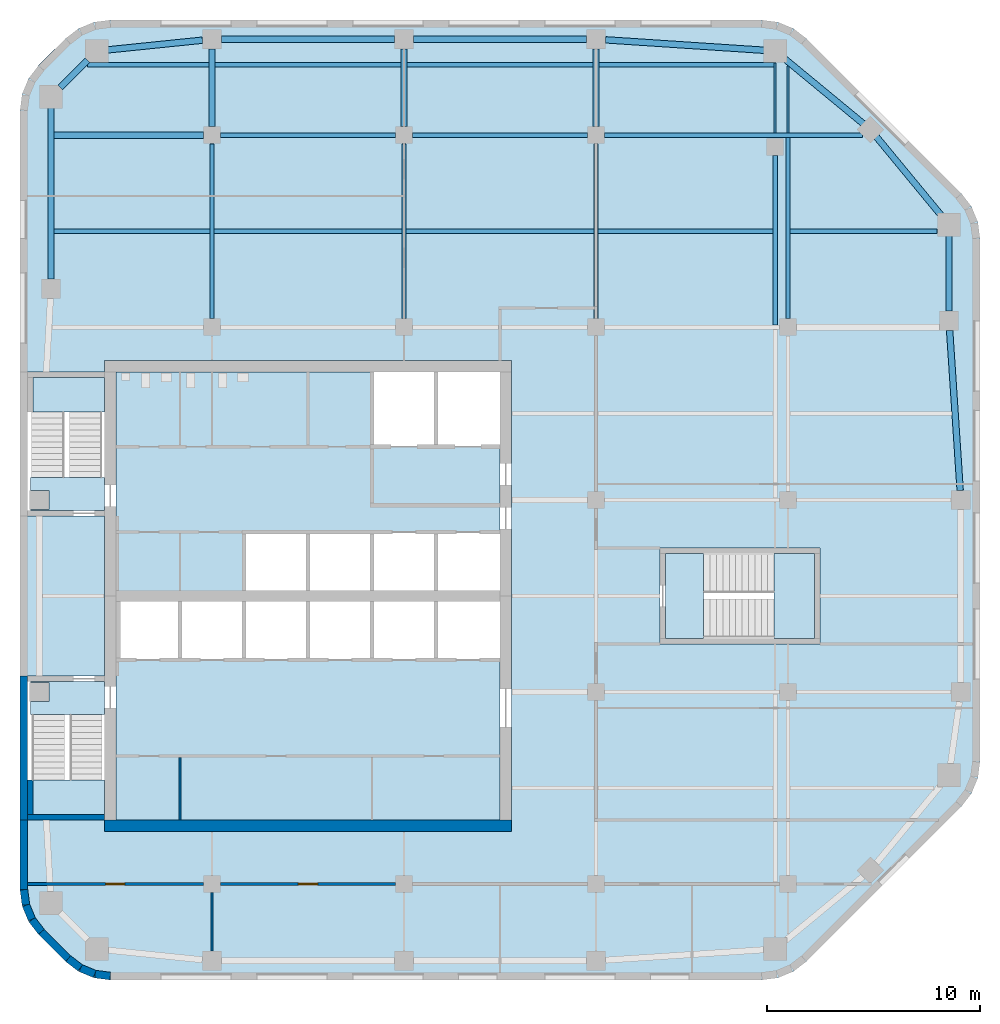
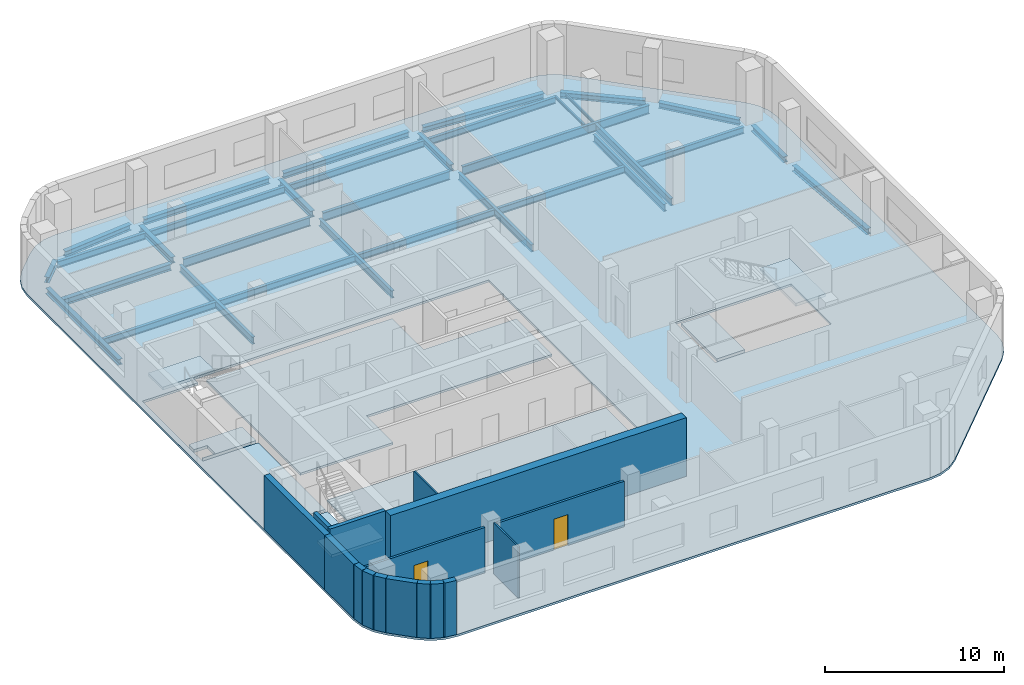
# One storey, part 2 of 8: 33 beams, 16 walls, 9 slabs, 2 doors, 2 openings, 3 elements without a shape of their own.
"""IFC4 building model written with IfcOpenShell, lengths in metres."""

from ifc_helpers import new_model, si_unit, direction, frame, frame_2d, origin, origin_2d, place, context, subcontext, project, spatial, polyline, rectangle, i_section, outline, extrude, material, layer, layer_set, material_profile, profile_set, type_object, element, fill, aggregate, save


model = new_model("IFC4")

# Units and contexts
model_context = context("Model", 3, precision=1e-05, world=origin(), true_north=direction((0.0, 1.0)))
body_context = subcontext(model_context, "Body", "Model", "MODEL_VIEW")
ifc_project = project(units=[si_unit("LENGTHUNIT", "METRE"), si_unit("AREAUNIT", "SQUARE_METRE"), si_unit("VOLUMEUNIT", "CUBIC_METRE"), si_unit("PLANEANGLEUNIT", "RADIAN"), si_unit("MASSUNIT", "GRAM", prefix="KILO")], contexts=[model_context])

# Site, building, storey
site_placement = place(None, origin())
site = spatial("IfcSite", under=ifc_project, at=site_placement, CompositionType="ELEMENT")
building_placement = place(site_placement, origin())
building = spatial("IfcBuilding", under=site, at=building_placement, Name="Cinnabar Reach Civic Tower", CompositionType="ELEMENT")
storey_placement = place(building_placement, frame((0.0, 0.0, 238.0)))
storey = spatial("IfcBuildingStorey", under=building, at=storey_placement, Name="L57", CompositionType="ELEMENT", Elevation=238.0)

# Beams
ifc_material_1 = material(Name="Steel Q355B", Category="steel")
ifc_material_profile_1 = material_profile(ifc_material_1, i_section(OverallWidth=0.3, OverallDepth=0.39, WebThickness=0.01, FlangeThickness=0.016, FilletRadius=0.013, at=origin_2d()), Name="HM390x300x10x16")
ifc_profile_set_1 = profile_set([ifc_material_profile_1], Name="Steel Q355B")
beam_type_1 = type_object("IfcBeamType", Name="HM390x300x10x16 beam R 180", PredefinedType="BEAM", material=ifc_profile_set_1)
beam_1_placement = place(storey_placement, frame((44.0702, 36.452, -0.345), z_axis=(-0.065709484267, 0.997838796438, 0.0), x_axis=(-0.997838796438, -0.065709484267, 0.0)))
element("IfcBeam", 1, at=beam_1_placement, inside=storey, type_object=beam_type_1, Name="Edge beam T1 L57 9", PredefinedType="BEAM", context=body_context, shape_type="SweptSolid", body=[
    extrude(i_section(OverallWidth=0.3, OverallDepth=0.39, WebThickness=0.01, FlangeThickness=0.016, FilletRadius=0.013, at=origin_2d()), origin(), (0.0, 0.0, 1.0), 7.5103),
])
beam_2_placement = place(storey_placement, frame((43.5469, 44.8501, -0.345), z_axis=(0.0, 1.0, 0.0), x_axis=(-1.0, 0.0, 0.0)))
element("IfcBeam", 2, at=beam_2_placement, inside=storey, type_object=beam_type_1, Name="Edge beam T1 L57 10", PredefinedType="BEAM", context=body_context, shape_type="SweptSolid", body=[
    extrude(i_section(OverallWidth=0.3, OverallDepth=0.39, WebThickness=0.01, FlangeThickness=0.016, FilletRadius=0.013, at=origin_2d()), origin(), (0.0, 0.0, 1.0), 3.616),
])
for number, where, z_axis, x_axis, name in (
    (3, (43.1906, 49.3301, -0.345), (-0.63630880182, 0.771434448755, 0.0), (-0.771434448755, -0.63630880182, 0.0), "Edge beam T1 L57 11"),
    (4, (39.5598, 53.6142, -0.345), (-0.771434448755, 0.63630880182, 0.0), (-0.63630880182, -0.771434448755, 0.0), "Edge beam T1 L57 12"),
):
    element("IfcBeam", number, at=place(storey_placement, frame(where, z_axis=z_axis, x_axis=x_axis)), inside=storey, type_object=beam_type_1, Name=name, PredefinedType="BEAM", context=body_context, shape_type="SweptSolid", body=[
        extrude(i_section(OverallWidth=0.3, OverallDepth=0.39, WebThickness=0.01, FlangeThickness=0.016, FilletRadius=0.013, at=origin_2d()), origin(), (0.0, 0.0, 1.0), 4.8348),
    ])
beam_3_placement = place(storey_placement, frame((34.9661, 57.0754, -0.345), z_axis=(-0.99783894477, 0.065707231721, 0.0), x_axis=(-0.065707231721, -0.99783894477, 0.0)))
element("IfcBeam", 5, at=beam_3_placement, inside=storey, type_object=beam_type_1, Name="Edge beam T1 L57 13", PredefinedType="BEAM", context=body_context, shape_type="SweptSolid", body=[
    extrude(i_section(OverallWidth=0.3, OverallDepth=0.39, WebThickness=0.01, FlangeThickness=0.016, FilletRadius=0.013, at=origin_2d()), origin(), (0.0, 0.0, 1.0), 7.5304),
])
for number, where, z_axis, x_axis, name in (
    (6, (26.548, 57.6, -0.345), (-1.0, 0.0, 0.0), (0.0, -1.0, 0.0), "Edge beam T1 L57 14"),
    (7, (17.548, 57.6, -0.345), (-1.0, 0.0, 0.0), (0.0, -1.0, 0.0), "Edge beam T1 L57 15"),
):
    element("IfcBeam", number, at=place(storey_placement, frame(where, z_axis=z_axis, x_axis=x_axis)), inside=storey, type_object=beam_type_1, Name=name, PredefinedType="BEAM", context=body_context, shape_type="SweptSolid", body=[
        extrude(i_section(OverallWidth=0.3, OverallDepth=0.39, WebThickness=0.01, FlangeThickness=0.016, FilletRadius=0.013, at=origin_2d()), origin(), (0.0, 0.0, 1.0), 8.096),
    ])
beam_4_placement = place(storey_placement, frame((8.548, 57.5537, -0.345), z_axis=(-0.994792272495, -0.101923179821, 0.0), x_axis=(0.101923179821, -0.994792272495, 0.0)))
element("IfcBeam", 8, at=beam_4_placement, inside=storey, type_object=beam_type_1, Name="Edge beam T1 L57 16", PredefinedType="BEAM", context=body_context, shape_type="SweptSolid", body=[
    extrude(i_section(OverallWidth=0.3, OverallDepth=0.39, WebThickness=0.01, FlangeThickness=0.016, FilletRadius=0.013, at=origin_2d()), origin(), (0.0, 0.0, 1.0), 4.5377),
])
beam_5_placement = place(storey_placement, frame((3.1699, 56.6149, -0.345), z_axis=(-0.707106781187, -0.707106781187, 0.0), x_axis=(0.707106781187, -0.707106781187, 0.0)))
element("IfcBeam", 9, at=beam_5_placement, inside=storey, type_object=beam_type_1, Name="Edge beam T1 L57 17", PredefinedType="BEAM", context=body_context, shape_type="SweptSolid", body=[
    extrude(i_section(OverallWidth=0.3, OverallDepth=0.39, WebThickness=0.01, FlangeThickness=0.016, FilletRadius=0.013, at=origin_2d()), origin(), (0.0, 0.0, 1.0), 1.817),
])
beam_6_placement = place(storey_placement, frame((1.4531, 54.4661, -0.345), z_axis=(0.0, -1.0, 0.0), x_axis=(1.0, 0.0, 0.0)))
element("IfcBeam", 10, at=beam_6_placement, inside=storey, type_object=beam_type_1, Name="Edge beam T1 L57 18", PredefinedType="BEAM", context=body_context, shape_type="SweptSolid", body=[
    extrude(i_section(OverallWidth=0.3, OverallDepth=0.39, WebThickness=0.01, FlangeThickness=0.016, FilletRadius=0.013, at=origin_2d()), origin(), (0.0, 0.0, 1.0), 8.116),
])
ifc_material_profile_2 = material_profile(ifc_material_1, i_section(OverallWidth=0.3, OverallDepth=0.44, WebThickness=0.011, FlangeThickness=0.018, FilletRadius=0.016, at=origin_2d()), Name="HM440x300x11x18")
ifc_profile_set_2 = profile_set([ifc_material_profile_2], Name="Steel Q355B")
beam_type_2 = type_object("IfcBeamType", Name="HM440x300x11x18 beam R 180", PredefinedType="BEAM", material=ifc_profile_set_2)
beam_7_placement = place(storey_placement, frame((1.6051, 53.1, -0.37), z_axis=(1.0, 0.0, 0.0), x_axis=(0.0, 1.0, 0.0)))
element("IfcBeam", 11, at=beam_7_placement, inside=storey, type_object=beam_type_2, Name="Girder T1 L57 17", PredefinedType="BEAM", context=body_context, shape_type="SweptSolid", body=[
    extrude(i_section(OverallWidth=0.3, OverallDepth=0.44, WebThickness=0.011, FlangeThickness=0.018, FilletRadius=0.016, at=origin_2d()), origin(), (0.0, 0.0, 1.0), 6.9929),
])
for number, where, z_axis, x_axis, name in (
    (12, (9.0, 53.502, -0.37), (0.0, 1.0, 0.0), (-1.0, 0.0, 0.0), "Girder T1 L57 5"),
    (13, (18.0, 53.502, -0.37), (0.0, 1.0, 0.0), (-1.0, 0.0, 0.0), "Girder T1 L57 10"),
    (14, (27.0, 53.502, -0.37), (0.0, 1.0, 0.0), (-1.0, 0.0, 0.0), "Girder T1 L57 16"),
):
    element("IfcBeam", number, at=place(storey_placement, frame(where, z_axis=z_axis, x_axis=x_axis)), inside=storey, type_object=beam_type_2, Name=name, PredefinedType="BEAM", context=body_context, shape_type="SweptSolid", body=[
        extrude(i_section(OverallWidth=0.3, OverallDepth=0.44, WebThickness=0.011, FlangeThickness=0.018, FilletRadius=0.016, at=origin_2d()), origin(), (0.0, 0.0, 1.0), 3.646),
    ])
ifc_material_profile_3 = material_profile(ifc_material_1, i_section(OverallWidth=0.099, OverallDepth=0.198, WebThickness=0.0045, FlangeThickness=0.007, FilletRadius=0.013, at=origin_2d()), Name="HN200x100x5.5x8")
ifc_profile_set_3 = profile_set([ifc_material_profile_3], Name="Steel Q355B")
beam_type_3 = type_object("IfcBeamType", Name="HN200x100x5.5x8 beam R 180", PredefinedType="BEAM", material=ifc_profile_set_3)
beam_8_placement = place(storey_placement, frame((35.3981, 53.2015, -0.249), z_axis=(0.0, 1.0, 0.0), x_axis=(-1.0, 0.0, 0.0)))
element("IfcBeam", 15, at=beam_8_placement, inside=storey, type_object=beam_type_3, Name="Girder T1 L57 23", PredefinedType="BEAM", context=body_context, shape_type="SweptSolid", body=[
    extrude(i_section(OverallWidth=0.099, OverallDepth=0.198, WebThickness=0.0045, FlangeThickness=0.007, FilletRadius=0.013, at=origin_2d()), origin(), (0.0, 0.0, 1.0), 3.2934),
])
beam_9_placement = place(storey_placement, frame((36.0, 53.2015, -0.249), z_axis=(0.0, 1.0, 0.0), x_axis=(-1.0, 0.0, 0.0)))
element("IfcBeam", 16, at=beam_9_placement, inside=storey, type_object=beam_type_3, Name="Girder T1 L57 30", PredefinedType="BEAM", context=body_context, shape_type="SweptSolid", body=[
    extrude(i_section(OverallWidth=0.099, OverallDepth=0.198, WebThickness=0.0045, FlangeThickness=0.007, FilletRadius=0.013, at=origin_2d()), origin(), (0.0, 0.0, 1.0), 3.1519),
])
ifc_material_profile_4 = material_profile(ifc_material_1, i_section(OverallWidth=0.199, OverallDepth=0.446, WebThickness=0.008, FlangeThickness=0.012, FilletRadius=0.016, at=origin_2d()), Name="HN446x199x8x12")
ifc_profile_set_4 = profile_set([ifc_material_profile_4], Name="Steel Q355B")
beam_type_4 = type_object("IfcBeamType", Name="HN446x199x8x12 beam R 180", PredefinedType="BEAM", material=ifc_profile_set_4)
beam_10_placement = place(storey_placement, frame((1.6051, 48.6, -0.373), z_axis=(1.0, 0.0, 0.0), x_axis=(0.0, 1.0, 0.0)))
element("IfcBeam", 17, at=beam_10_placement, inside=storey, type_object=beam_type_4, Name="Secondary beam T1 L57 11", PredefinedType="BEAM", context=body_context, shape_type="SweptSolid", body=[
    extrude(i_section(OverallWidth=0.199, OverallDepth=0.446, WebThickness=0.008, FlangeThickness=0.012, FilletRadius=0.016, at=origin_2d()), origin(), (0.0, 0.0, 1.0), 7.2929),
])
for number, where, z_axis, x_axis, name in (
    (18, (9.102, 48.6, -0.373), (1.0, 0.0, 0.0), (0.0, 1.0, 0.0), "Secondary beam T1 L57 12"),
    (19, (18.102, 48.6, -0.373), (1.0, 0.0, 0.0), (0.0, 1.0, 0.0), "Secondary beam T1 L57 13"),
):
    element("IfcBeam", number, at=place(storey_placement, frame(where, z_axis=z_axis, x_axis=x_axis)), inside=storey, type_object=beam_type_4, Name=name, PredefinedType="BEAM", context=body_context, shape_type="SweptSolid", body=[
        extrude(i_section(OverallWidth=0.199, OverallDepth=0.446, WebThickness=0.008, FlangeThickness=0.012, FilletRadius=0.016, at=origin_2d()), origin(), (0.0, 0.0, 1.0), 8.796),
    ])
beam_11_placement = place(storey_placement, frame((27.102, 48.6, -0.373), z_axis=(1.0, 0.0, 0.0), x_axis=(0.0, 1.0, 0.0)))
element("IfcBeam", 20, at=beam_11_placement, inside=storey, type_object=beam_type_4, Name="Secondary beam T1 L57 14", PredefinedType="BEAM", context=body_context, shape_type="SweptSolid", body=[
    extrude(i_section(OverallWidth=0.199, OverallDepth=0.446, WebThickness=0.008, FlangeThickness=0.012, FilletRadius=0.016, at=origin_2d()), origin(), (0.0, 0.0, 1.0), 8.1941),
])
beam_12_placement = place(storey_placement, frame((36.102, 48.6, -0.373), z_axis=(1.0, 0.0, 0.0), x_axis=(0.0, 1.0, 0.0)))
element("IfcBeam", 21, at=beam_12_placement, inside=storey, type_object=beam_type_4, Name="Secondary beam T1 L57 15", PredefinedType="BEAM", context=body_context, shape_type="SweptSolid", body=[
    extrude(i_section(OverallWidth=0.199, OverallDepth=0.446, WebThickness=0.008, FlangeThickness=0.012, FilletRadius=0.016, at=origin_2d()), origin(), (0.0, 0.0, 1.0), 6.8929),
])
beam_13_placement = place(storey_placement, frame((3.17, 56.4, -0.373), z_axis=(1.0, 0.0, 0.0), x_axis=(0.0, 1.0, 0.0)))
element("IfcBeam", 22, at=beam_13_placement, inside=storey, type_object=beam_type_4, Name="Secondary beam T1 L57 16", PredefinedType="BEAM", context=body_context, shape_type="SweptSolid", body=[
    extrude(i_section(OverallWidth=0.199, OverallDepth=0.446, WebThickness=0.008, FlangeThickness=0.012, FilletRadius=0.016, at=origin_2d()), origin(), (0.0, 0.0, 1.0), 5.678),
])
for number, where, z_axis, x_axis, name in (
    (23, (9.152, 56.4, -0.373), (1.0, 0.0, 0.0), (0.0, 1.0, 0.0), "Secondary beam T1 L57 17"),
    (24, (18.152, 56.4, -0.373), (1.0, 0.0, 0.0), (0.0, 1.0, 0.0), "Secondary beam T1 L57 18"),
):
    element("IfcBeam", number, at=place(storey_placement, frame(where, z_axis=z_axis, x_axis=x_axis)), inside=storey, type_object=beam_type_4, Name=name, PredefinedType="BEAM", context=body_context, shape_type="SweptSolid", body=[
        extrude(i_section(OverallWidth=0.199, OverallDepth=0.446, WebThickness=0.008, FlangeThickness=0.012, FilletRadius=0.016, at=origin_2d()), origin(), (0.0, 0.0, 1.0), 8.696),
    ])
beam_14_placement = place(storey_placement, frame((27.152, 56.4, -0.373), z_axis=(1.0, 0.0, 0.0), x_axis=(0.0, 1.0, 0.0)))
element("IfcBeam", 25, at=beam_14_placement, inside=storey, type_object=beam_type_4, Name="Secondary beam T1 L57 19", PredefinedType="BEAM", context=body_context, shape_type="SweptSolid", body=[
    extrude(i_section(OverallWidth=0.199, OverallDepth=0.446, WebThickness=0.008, FlangeThickness=0.012, FilletRadius=0.016, at=origin_2d()), origin(), (0.0, 0.0, 1.0), 8.1946),
])
ifc_material_profile_5 = material_profile(ifc_material_1, i_section(OverallWidth=0.2, OverallDepth=0.5, WebThickness=0.01, FlangeThickness=0.016, FilletRadius=0.016, at=origin_2d()), Name="HN500x200x10x16")
ifc_profile_set_5 = profile_set([ifc_material_profile_5], Name="Steel Q355B")
beam_type_5 = type_object("IfcBeamType", Name="HN500x200x10x16 beam R 180", PredefinedType="BEAM", material=ifc_profile_set_5)
for number, where, z_axis, x_axis, name in (
    (26, (9.0, 44.502, -0.4), (0.0, 1.0, 0.0), (-1.0, 0.0, 0.0), "Girder T1 L57 4"),
    (27, (18.0, 44.502, -0.4), (0.0, 1.0, 0.0), (-1.0, 0.0, 0.0), "Girder T1 L57 9"),
    (28, (27.0, 44.502, -0.4), (0.0, 1.0, 0.0), (-1.0, 0.0, 0.0), "Girder T1 L57 15"),
):
    element("IfcBeam", number, at=place(storey_placement, frame(where, z_axis=z_axis, x_axis=x_axis)), inside=storey, type_object=beam_type_5, Name=name, PredefinedType="BEAM", context=body_context, shape_type="SweptSolid", body=[
        extrude(i_section(OverallWidth=0.2, OverallDepth=0.5, WebThickness=0.01, FlangeThickness=0.016, FilletRadius=0.016, at=origin_2d()), origin(), (0.0, 0.0, 1.0), 8.196),
    ])
beam_15_placement = place(storey_placement, frame((35.3981, 44.2015, -0.4), z_axis=(0.0, 1.0, 0.0), x_axis=(-1.0, 0.0, 0.0)))
element("IfcBeam", 29, at=beam_15_placement, inside=storey, type_object=beam_type_5, Name="Girder T1 L57 22", PredefinedType="BEAM", context=body_context, shape_type="SweptSolid", body=[
    extrude(i_section(OverallWidth=0.2, OverallDepth=0.5, WebThickness=0.01, FlangeThickness=0.016, FilletRadius=0.016, at=origin_2d()), origin(), (0.0, 0.0, 1.0), 7.9434),
])
beam_16_placement = place(storey_placement, frame((36.0, 44.502, -0.4), z_axis=(0.0, 1.0, 0.0), x_axis=(-1.0, 0.0, 0.0)))
element("IfcBeam", 30, at=beam_16_placement, inside=storey, type_object=beam_type_5, Name="Girder T1 L57 29", PredefinedType="BEAM", context=body_context, shape_type="SweptSolid", body=[
    extrude(i_section(OverallWidth=0.2, OverallDepth=0.5, WebThickness=0.01, FlangeThickness=0.016, FilletRadius=0.016, at=origin_2d()), origin(), (0.0, 0.0, 1.0), 8.4965),
])
ifc_material_profile_6 = material_profile(ifc_material_1, i_section(OverallWidth=0.199, OverallDepth=0.596, WebThickness=0.01, FlangeThickness=0.015, FilletRadius=0.016, at=origin_2d()), Name="HN596x199x10x15")
ifc_profile_set_6 = profile_set([ifc_material_profile_6], Name="Steel Q355B")
beam_type_6 = type_object("IfcBeamType", Name="HN596x199x10x15 beam R 180", PredefinedType="BEAM", material=ifc_profile_set_6)
for number, where, z_axis, x_axis, name in (
    (31, (9.402, 53.1, -0.448), (1.0, 0.0, 0.0), (0.0, 1.0, 0.0), "Girder T1 L57 18"),
    (32, (18.402, 53.1, -0.448), (1.0, 0.0, 0.0), (0.0, 1.0, 0.0), "Girder T1 L57 19"),
):
    element("IfcBeam", number, at=place(storey_placement, frame(where, z_axis=z_axis, x_axis=x_axis)), inside=storey, type_object=beam_type_6, Name=name, PredefinedType="BEAM", context=body_context, shape_type="SweptSolid", body=[
        extrude(i_section(OverallWidth=0.199, OverallDepth=0.596, WebThickness=0.01, FlangeThickness=0.015, FilletRadius=0.016, at=origin_2d()), origin(), (0.0, 0.0, 1.0), 8.196),
    ])
beam_17_placement = place(storey_placement, frame((27.402, 53.1, -0.448), z_axis=(1.0, 0.0, 0.0), x_axis=(0.0, 1.0, 0.0)))
element("IfcBeam", 33, at=beam_17_placement, inside=storey, type_object=beam_type_6, Name="Girder T1 L57 20", PredefinedType="BEAM", context=body_context, shape_type="SweptSolid", body=[
    extrude(i_section(OverallWidth=0.199, OverallDepth=0.596, WebThickness=0.01, FlangeThickness=0.015, FilletRadius=0.016, at=origin_2d()), origin(), (0.0, 0.0, 1.0), 12.086),
])

# Slab
ifc_material_2 = material(Name="Concrete C40", Category="concrete")
ifc_layer_1 = layer(ifc_material_2, 0.15)
ifc_layer_set_1 = layer_set([ifc_layer_1], Name="Composite floor slab 150 REI 150")
slab_type_1 = type_object("IfcSlabType", Name="Composite floor slab 150 REI 150", PredefinedType="FLOOR", material=ifc_layer_set_1)
slab_1_placement = place(storey_placement, frame((0.0, 0.0, -0.15)))
element("IfcSlab", 34, at=slab_1_placement, inside=storey, type_object=slab_type_1, Name="Composite floor slab 150 T1 L57", PredefinedType="FLOOR", context=body_context, shape_type="SweptSolid", body=[
    extrude(outline(polyline([(0.8787, 15.6213), (0.4019, 16.2426), (0.1022, 16.9662), (0.0, 17.7426), (0.0, 54.2574), (0.1022, 55.0338), (0.4019, 55.7574), (0.8787, 56.3787), (2.1213, 57.6213), (2.7426, 58.0981), (3.4662, 58.3978), (4.2426, 58.5), (34.7574, 58.5), (35.5338, 58.3978), (36.2574, 58.0981), (36.8787, 57.6213), (44.1213, 50.3787), (44.5981, 49.7574), (44.8978, 49.0338), (45.0, 48.2574), (45.0, 23.7426), (44.8978, 22.9662), (44.5981, 22.2426), (44.1213, 21.6213), (36.8787, 14.3787), (36.2574, 13.9019), (35.5338, 13.6022), (34.7574, 13.5), (4.2426, 13.5), (3.4662, 13.6022), (2.7426, 13.9019), (2.1213, 14.3787), (0.8787, 15.6213)]), holes=[polyline([(0.36, 21.0), (3.95, 21.0), (3.95, 20.45), (23.05, 20.45), (23.05, 42.55), (3.95, 42.55), (3.95, 42.0), (0.36, 42.0), (0.36, 35.25), (3.95, 35.25), (3.95, 27.75), (0.36, 27.75), (0.36, 21.0)]), polyline([(30.0, 33.75), (30.0, 29.25), (37.5, 29.25), (37.5, 33.75), (30.0, 33.75)])]), origin(), (0.0, 0.0, 1.0), 0.15),
])

# Stair, slabs
ifc_material_3 = material(Name="Concrete C40/50", Category="concrete")
stair_type = type_object("IfcStairType", Name="T1 Exit stair, half-turn", PredefinedType="HALF_TURN_STAIR", material=ifc_material_3)
stair_1_placement = place(storey_placement, origin())
stair_1 = element("IfcStair", 35, at=stair_1_placement, inside=storey, type_object=stair_type, Name="Stair T1-S1", PredefinedType="HALF_TURN_STAIR")
ifc_layer_2 = layer(ifc_material_3, 0.2)
ifc_layer_set_2 = layer_set([ifc_layer_2], Name="T1 Stair landing 200, Concrete C40/50")
slab_type_2 = type_object("IfcSlabType", Name="T1 Stair landing 200, Concrete C40/50", PredefinedType="LANDING", material=ifc_layer_set_2)
slab_2_placement = place(storey_placement, frame((0.0, 0.0, -0.2)))
slab_2 = element("IfcSlab", 36, at=slab_2_placement, type_object=slab_type_2, Name="T1-S1 landing 1", PredefinedType="LANDING", context=body_context, shape_type="SweptSolid", body=[
    extrude(outline(polyline([(0.5, 27.5), (3.95, 27.5), (3.95, 25.95), (0.5, 25.95), (0.5, 26.55), (1.35, 26.55), (1.35, 27.45), (0.5, 27.45), (0.5, 27.5)])), origin(), (0.0, 0.0, 1.0), 0.2),
])
slab_3_placement = place(storey_placement, frame((0.0, 0.0, 1.8)))
slab_3 = element("IfcSlab", 37, at=slab_3_placement, type_object=slab_type_2, Name="T1-S1 landing 2", PredefinedType="LANDING", context=body_context, shape_type="SweptSolid", body=[
    extrude(outline(polyline([(0.6, 21.25), (0.6, 22.87), (3.95, 22.87), (3.95, 21.25), (0.6, 21.25)])), origin(), (0.0, 0.0, 1.0), 0.2),
])
aggregate(stair_1, [slab_2, slab_3])

stair_2_placement = place(storey_placement, origin())
stair_2 = element("IfcStair", 38, at=stair_2_placement, inside=storey, type_object=stair_type, Name="Stair T1-S2", PredefinedType="HALF_TURN_STAIR")
slab_4_placement = place(storey_placement, frame((0.0, 0.0, -0.2)))
slab_4 = element("IfcSlab", 39, at=slab_4_placement, type_object=slab_type_2, Name="T1-S2 landing 1", PredefinedType="LANDING", context=body_context, shape_type="SweptSolid", body=[
    extrude(outline(polyline([(0.5, 37.05), (3.95, 37.05), (3.95, 35.5), (0.5, 35.5), (0.5, 35.55), (1.35, 35.55), (1.35, 36.45), (0.5, 36.45), (0.5, 37.05)])), origin(), (0.0, 0.0, 1.0), 0.2),
])
slab_5_placement = place(storey_placement, frame((0.0, 0.0, 1.8)))
slab_5 = element("IfcSlab", 40, at=slab_5_placement, type_object=slab_type_2, Name="T1-S2 landing 2", PredefinedType="LANDING", context=body_context, shape_type="SweptSolid", body=[
    extrude(outline(polyline([(0.6, 40.13), (0.6, 41.75), (3.95, 41.75), (3.95, 40.13), (0.6, 40.13)])), origin(), (0.0, 0.0, 1.0), 0.2),
])
aggregate(stair_2, [slab_4, slab_5])

stair_3_placement = place(storey_placement, origin())
stair_3 = element("IfcStair", 41, at=stair_3_placement, inside=storey, type_object=stair_type, Name="Stair T1-S3", PredefinedType="HALF_TURN_STAIR")
slab_6_placement = place(storey_placement, frame((0.0, 0.0, -0.2)))
slab_6 = element("IfcSlab", 42, at=slab_6_placement, type_object=slab_type_2, Name="T1-S3 landing 1", PredefinedType="LANDING", context=body_context, shape_type="SweptSolid", body=[
    extrude(outline(polyline([(30.25, 29.5), (32.05, 29.5), (32.05, 33.5), (30.25, 33.5), (30.25, 29.5)])), origin(), (0.0, 0.0, 1.0), 0.2),
])
slab_7_placement = place(storey_placement, frame((0.0, 0.0, 1.8)))
slab_7 = element("IfcSlab", 43, at=slab_7_placement, type_object=slab_type_2, Name="T1-S3 landing 2", PredefinedType="LANDING", context=body_context, shape_type="SweptSolid", body=[
    extrude(outline(polyline([(35.35, 29.5), (37.25, 29.5), (37.25, 33.5), (35.35, 33.5), (35.35, 29.5)])), origin(), (0.0, 0.0, 1.0), 0.2),
])
aggregate(stair_3, [slab_6, slab_7])

# Slabs
ifc_layer_3 = layer(ifc_material_3, 0.15)
ifc_layer_set_3 = layer_set([ifc_layer_3], Name="T1 core floor slab 150")
slab_type_3 = type_object("IfcSlabType", Name="T1 core floor slab 150", PredefinedType="FLOOR", material=ifc_layer_set_3)
slab_8_placement = place(storey_placement, frame((0.0, 0.0, -0.15)))
element("IfcSlab", 44, at=slab_8_placement, inside=storey, type_object=slab_type_3, Name="Core floor slab L57", PredefinedType="FLOOR", context=body_context, shape_type="SweptSolid", body=[
    extrude(outline(polyline([(22.5, 21.0), (4.5, 21.0), (4.5, 28.5), (7.5, 28.5), (10.5, 28.5), (13.5, 28.5), (16.5, 28.5), (19.5, 28.5), (22.5, 28.5), (22.5, 21.0)])), origin(), (0.0, 0.0, 1.0), 0.15),
])
slab_9_placement = place(storey_placement, frame((0.0, 0.0, -0.15)))
element("IfcSlab", 45, at=slab_9_placement, inside=storey, type_object=slab_type_3, Name="Core floor slab L57", PredefinedType="FLOOR", context=body_context, shape_type="SweptSolid", body=[
    extrude(outline(polyline([(22.5, 34.5), (19.5, 34.5), (16.5, 34.5), (13.5, 34.5), (10.5, 34.5), (10.5, 31.5), (7.5, 31.5), (4.5, 31.5), (4.5, 42.0), (16.5, 42.0), (16.5, 38.5), (19.5, 38.5), (22.5, 38.5), (22.5, 34.5)])), origin(), (0.0, 0.0, 1.0), 0.15),
])

# Walls
ifc_material_4 = material(Name="Facing brick with insulated backing", Category="masonry")
ifc_layer_4 = layer(ifc_material_4, 0.36)
ifc_layer_set_4 = layer_set([ifc_layer_4], Name="Brick corner wall")
wall_type_1 = type_object("IfcWallType", Name="Brick corner wall", PredefinedType="STANDARD", material=ifc_layer_set_4)
for number, where, z_axis, x_axis, name in (
    (46, (0.183, 17.7314, 0.0), (0.0, 0.0, 1.0), (0.13055608231, -0.99144092581, 0.0), "Brick corner wall"),
    (47, (0.2819, 17.0027, 0.0), (0.0, 0.0, 1.0), (0.382702709855, -0.923871547278, 0.0), "Brick corner wall"),
):
    element("IfcWall", number, at=place(storey_placement, frame(where, z_axis=z_axis, x_axis=x_axis)), inside=storey, type_object=wall_type_1, Name=name, PredefinedType="STANDARD", context=body_context, shape_type="SweptSolid", body=[
        extrude(rectangle(XDim=0.7131, YDim=0.36, at=frame_2d((0.3565, 0.0))), origin(), (0.0, 0.0, 1.0), 3.7),
    ])
for number, where, z_axis, x_axis, name in (
    (48, (0.566, 16.3245, 0.0), (0.0, 0.0, 1.0), (0.608802368033, -0.793321924995, 0.0), "Brick corner wall"),
    (49, (2.2587, 14.5002, 0.0), (0.0, 0.0, 1.0), (0.793321924995, -0.608802368033, 0.0), "Brick corner wall"),
):
    element("IfcWall", number, at=place(storey_placement, frame(where, z_axis=z_axis, x_axis=x_axis)), inside=storey, type_object=wall_type_1, Name=name, PredefinedType="STANDARD", context=body_context, shape_type="SweptSolid", body=[
        extrude(rectangle(XDim=0.7132, YDim=0.36, at=frame_2d((0.3566, 0.0))), origin(), (0.0, 0.0, 1.0), 3.7),
    ])
for number, where, z_axis, x_axis, name in (
    (50, (2.8439, 14.0548, 0.0), (0.0, 0.0, 1.0), (0.923871547278, -0.382702709855, 0.0), "Brick corner wall"),
    (51, (3.5244, 13.7761, 0.0), (0.0, 0.0, 1.0), (0.99144092581, -0.13055608231, 0.0), "Brick corner wall"),
):
    element("IfcWall", number, at=place(storey_placement, frame(where, z_axis=z_axis, x_axis=x_axis)), inside=storey, type_object=wall_type_1, Name=name, PredefinedType="STANDARD", context=body_context, shape_type="SweptSolid", body=[
        extrude(rectangle(XDim=0.7131, YDim=0.36, at=frame_2d((0.3565, 0.0))), origin(), (0.0, 0.0, 1.0), 3.7),
    ])
ifc_layer_5 = layer(ifc_material_4, 0.36)
ifc_layer_set_5 = layer_set([ifc_layer_5], Name="Brick pier and spandrel wall")
wall_type_2 = type_object("IfcWallType", Name="Brick pier and spandrel wall", PredefinedType="STANDARD", material=ifc_layer_set_5)
wall_1_placement = place(storey_placement, frame((0.18, 27.75, 0.0), z_axis=(0.0, 0.0, 1.0), x_axis=(0.0, -1.0, 0.0)))
element("IfcWall", 52, at=wall_1_placement, inside=storey, type_object=wall_type_2, Name="Brick facade wall", PredefinedType="STANDARD", context=body_context, shape_type="SweptSolid", body=[
    extrude(rectangle(XDim=6.75, YDim=0.36, at=frame_2d((3.375, 0.0))), origin(), (0.0, 0.0, 1.0), 3.7),
])
wall_2_placement = place(storey_placement, frame((0.18, 21.0, 0.0), z_axis=(0.0, 0.0, 1.0), x_axis=(0.0, -1.0, 0.0)))
element("IfcWall", 53, at=wall_2_placement, inside=storey, type_object=wall_type_2, Name="Brick facade wall", PredefinedType="STANDARD", context=body_context, shape_type="SweptSolid", body=[
    extrude(rectangle(XDim=3.2574, YDim=0.36, at=frame_2d((1.6287, 0.0))), origin(), (0.0, 0.0, 1.0), 3.7),
])
wall_3_placement = place(storey_placement, frame((1.006, 15.7486, 0.0), z_axis=(0.0, 0.0, 1.0), x_axis=(0.707106781187, -0.707106781187, 0.0)))
element("IfcWall", 54, at=wall_3_placement, inside=storey, type_object=wall_type_2, Name="Brick facade wall", PredefinedType="STANDARD", context=body_context, shape_type="SweptSolid", body=[
    extrude(rectangle(XDim=1.7573, YDim=0.36, at=frame_2d((0.8787, 0.0))), origin(), (0.0, 0.0, 1.0), 3.7),
])
ifc_material_5 = material(Name="Concrete C60", Category="concrete")
ifc_layer_6 = layer(ifc_material_5, 0.55)
ifc_layer_set_6 = layer_set([ifc_layer_6], Name="Core wall 550 EI 180")
wall_type_3 = type_object("IfcWallType", Name="Core wall 550 EI 180", PredefinedType="SOLIDWALL", material=ifc_layer_set_6)
wall_4_placement = place(storey_placement, frame((3.95, 20.725, 0.0), z_axis=(0.0, 0.0, 1.0), x_axis=(1.0, 0.0, 0.0)))
element("IfcWall", 55, at=wall_4_placement, inside=storey, type_object=wall_type_3, Name="Core wall T1 L57 S", PredefinedType="SOLIDWALL", context=body_context, shape_type="SweptSolid", body=[
    extrude(rectangle(XDim=19.1, YDim=0.55, at=frame_2d((9.55, 0.0))), origin(), (0.0, 0.0, 1.0), 4.0),
])

# Wall, opening, door
ifc_material_6 = material(Name="Gypsum board on steel studs, double layer", Category="steel")
ifc_layer_7 = layer(ifc_material_6, 0.15)
ifc_layer_set_7 = layer_set([ifc_layer_7], Name="Corridor wall 150 T1")
wall_type_4 = type_object("IfcWallType", Name="Corridor wall 150 T1", PredefinedType="PARTITIONING", material=ifc_layer_set_7)
wall_5_placement = place(storey_placement, frame((9.4, 18.0, 0.0), z_axis=(0.0, 0.0, 1.0), x_axis=(1.0, 0.0, 0.0)))
wall_5 = element("IfcWall", 56, at=wall_5_placement, inside=storey, type_object=wall_type_4, Name="Corridor wall 21", PredefinedType="PARTITIONING", context=body_context, shape_type="SweptSolid", body=[
    extrude(rectangle(XDim=8.2, YDim=0.15, at=frame_2d((4.1, 0.0))), origin(), (0.0, 0.0, 1.0), 3.104),
])
opening_1_placement = place(wall_5_placement, frame((3.65, 0.0, 0.0)))
opening_1 = element("IfcOpeningElement", 57, at=opening_1_placement, cuts=wall_5, Name="Opening D5331", PredefinedType="OPENING", context=body_context, shape_type="SweptSolid", body=[
    extrude(rectangle(XDim=0.9, YDim=2.1, at=frame_2d((0.45, 1.05))), frame((0.0, 0.085, 0.0), z_axis=(0.0, -1.0, 0.0), x_axis=(1.0, 0.0, 0.0)), (0.0, 0.0, 1.0), 0.17),
])
ifc_material_7 = material(Name="Timber door leaf in steel frame", Category="steel")
door_type = type_object("IfcDoorType", Name="Single swing door 900 x 2100 corridor T1", OperationType="SINGLE_SWING_LEFT", PredefinedType="DOOR", material=ifc_material_7)
door_1_placement = place(opening_1_placement, frame((0.9, 0.0, 0.0), z_axis=(0.0, 0.0, 1.0), x_axis=(-1.0, 0.0, 0.0)))
door_1 = element("IfcDoor", 58, at=door_1_placement, inside=storey, type_object=door_type, Name="Door D5331", OperationType="SINGLE_SWING_RIGHT", OverallHeight=2.1, OverallWidth=0.9, PredefinedType="DOOR", context=body_context, shape_type="SweptSolid", body=[
    extrude(rectangle(XDim=0.9, YDim=2.1, at=frame_2d((0.45, 1.05))), frame((0.0, 0.025, 0.0), z_axis=(0.0, -1.0, 0.0), x_axis=(1.0, 0.0, 0.0)), (0.0, 0.0, 1.0), 0.05),
])
fill(opening_1, door_1)

wall_6_placement = place(storey_placement, frame((0.36, 18.0, 0.0), z_axis=(0.0, 0.0, 1.0), x_axis=(1.0, 0.0, 0.0)))
wall_6 = element("IfcWall", 59, at=wall_6_placement, inside=storey, type_object=wall_type_4, Name="Corridor wall 22", PredefinedType="PARTITIONING", context=body_context, shape_type="SweptSolid", body=[
    extrude(rectangle(XDim=8.24, YDim=0.15, at=frame_2d((4.12, 0.0))), origin(), (0.0, 0.0, 1.0), 3.104),
])
opening_2_placement = place(wall_6_placement, frame((3.65, 0.0, 0.0)))
opening_2 = element("IfcOpeningElement", 60, at=opening_2_placement, cuts=wall_6, Name="Opening D5330", PredefinedType="OPENING", context=body_context, shape_type="SweptSolid", body=[
    extrude(rectangle(XDim=0.9, YDim=2.1, at=frame_2d((0.45, 1.05))), frame((0.0, 0.085, 0.0), z_axis=(0.0, -1.0, 0.0), x_axis=(1.0, 0.0, 0.0)), (0.0, 0.0, 1.0), 0.17),
])
door_2_placement = place(opening_2_placement, frame((0.9, 0.0, 0.0), z_axis=(0.0, 0.0, 1.0), x_axis=(-1.0, 0.0, 0.0)))
door_2 = element("IfcDoor", 61, at=door_2_placement, inside=storey, type_object=door_type, Name="Door D5330", OperationType="SINGLE_SWING_RIGHT", OverallHeight=2.1, OverallWidth=0.9, PredefinedType="DOOR", context=body_context, shape_type="SweptSolid", body=[
    extrude(rectangle(XDim=0.9, YDim=2.1, at=frame_2d((0.45, 1.05))), frame((0.0, 0.025, 0.0), z_axis=(0.0, -1.0, 0.0), x_axis=(1.0, 0.0, 0.0)), (0.0, 0.0, 1.0), 0.05),
])
fill(opening_2, door_2)

# Walls
ifc_material_8 = material(Name="Gypsum board on steel studs", Category="steel")
ifc_layer_8 = layer(ifc_material_8, 0.1)
ifc_layer_set_8 = layer_set([ifc_layer_8], Name="Partition wall 100 T1")
wall_type_5 = type_object("IfcWallType", Name="Partition wall 100 T1", PredefinedType="PARTITIONING", material=ifc_layer_set_8)
wall_7_placement = place(storey_placement, frame((9.0, 14.85, 0.0), z_axis=(0.0, 0.0, 1.0), x_axis=(0.0, 1.0, 0.0)))
element("IfcWall", 62, at=wall_7_placement, inside=storey, type_object=wall_type_5, Name="Partition wall 50", PredefinedType="PARTITIONING", context=body_context, shape_type="SweptSolid", body=[
    extrude(rectangle(XDim=2.75, YDim=0.1, at=frame_2d((1.375, 0.0))), origin(), (0.0, 0.0, 1.0), 3.502),
])
wall_8_placement = place(storey_placement, frame((7.5, 21.0, 0.0), z_axis=(0.0, 0.0, 1.0), x_axis=(0.0, 1.0, 0.0)))
element("IfcWall", 63, at=wall_8_placement, inside=storey, type_object=wall_type_5, Name="Partition wall 55", PredefinedType="PARTITIONING", context=body_context, shape_type="SweptSolid", body=[
    extrude(rectangle(XDim=2.925, YDim=0.1, at=frame_2d((1.4625, 0.0))), origin(), (0.0, 0.0, 1.0), 3.7),
])
ifc_layer_9 = layer(ifc_material_5, 0.25)
ifc_layer_set_9 = layer_set([ifc_layer_9], Name="Stair shaft wall 250 EI 120")
wall_type_6 = type_object("IfcWallType", Name="Stair shaft wall 250 EI 120", PredefinedType="SOLIDWALL", material=ifc_layer_set_9)
wall_9_placement = place(storey_placement, frame((0.36, 21.125, 0.0), z_axis=(0.0, 0.0, 1.0), x_axis=(1.0, 0.0, 0.0)))
element("IfcWall", 64, at=wall_9_placement, inside=storey, type_object=wall_type_6, Name="Stair shaft wall T1-S1 L57", PredefinedType="SOLIDWALL", context=body_context, shape_type="SweptSolid", body=[
    extrude(rectangle(XDim=3.59, YDim=0.25, at=frame_2d((1.795, 0.0))), origin(), (0.0, 0.0, 1.0), 4.0),
])
ifc_layer_10 = layer(ifc_material_3, 0.24)
ifc_layer_set_10 = layer_set([ifc_layer_10], Name="T1 landing bearer wall 240")
wall_type_7 = type_object("IfcWallType", Name="T1 landing bearer wall 240", PredefinedType="STANDARD", material=ifc_layer_set_10)
wall_10_placement = place(storey_placement, frame((0.48, 21.25, 0.0), z_axis=(0.0, 0.0, 1.0), x_axis=(0.0, 1.0, 0.0)))
element("IfcWall", 65, at=wall_10_placement, inside=storey, type_object=wall_type_7, Name="T1-S1 landing bearer wall", PredefinedType="STANDARD", context=body_context, shape_type="SweptSolid", body=[
    extrude(rectangle(XDim=1.62, YDim=0.24, at=frame_2d((0.81, 0.0))), origin(), (0.0, 0.0, 1.0), 4.0),
])

save(model, "model.ifc")
